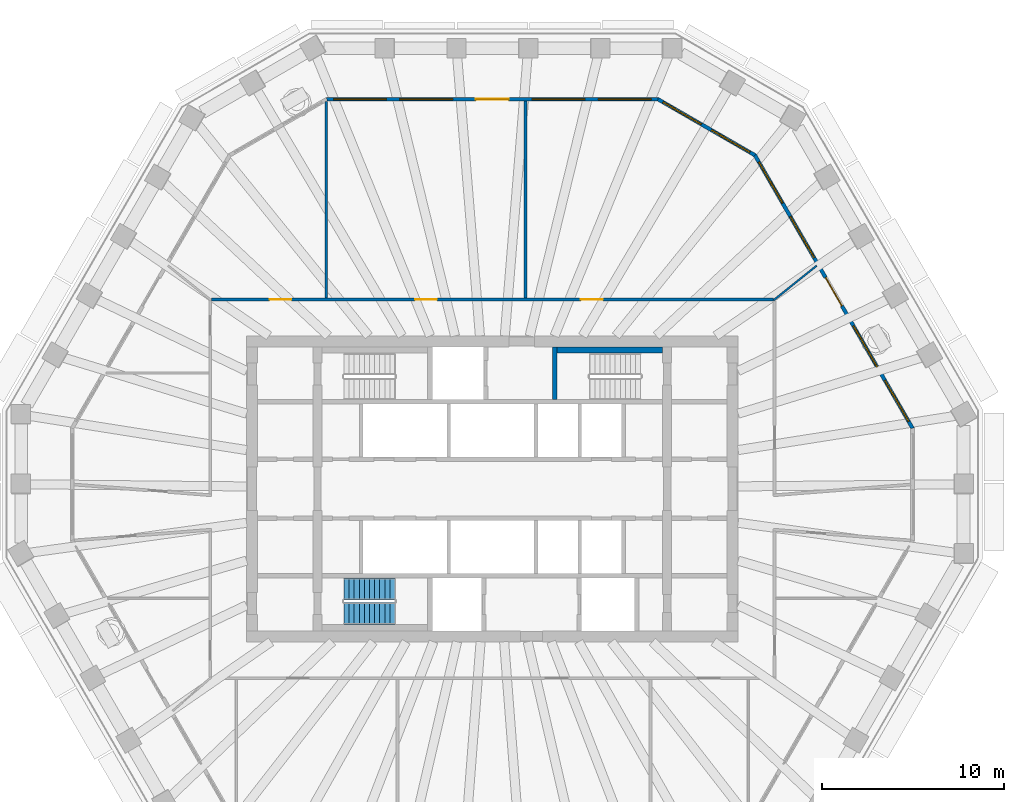
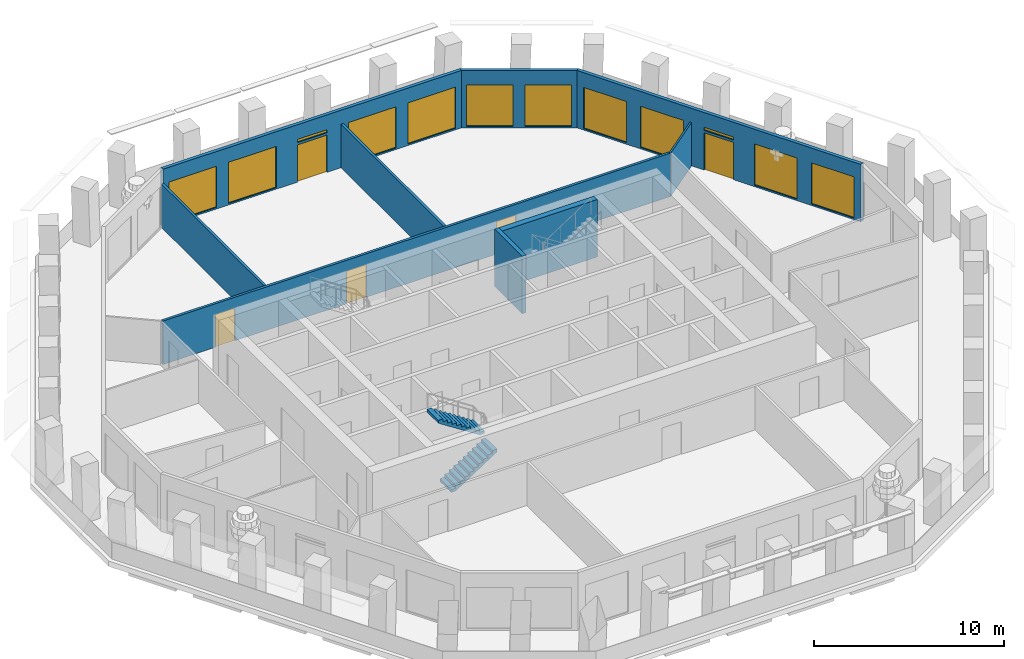
# One storey, part 7 of 12: 12 windows, 9 walls, 5 doors, 2 stair flights, 17 openings, 1 element without a shape of its own.
"""IFC4 building model written with IfcOpenShell, lengths in metres."""

import ifcopenshell
import ifcopenshell.guid

model = None  # the IFC model being written
_history = None  # IfcOwnerHistory: only IFC2X3 demands one
_inside = {}  # id of a spatial element -> (the spatial element, [elements in it])
_under = {}  # id of a project, library or spatial element -> (it, [spatial elements below it])
_declared = {}  # id of a project -> (the project, [libraries it declares])
_typed = {}  # id of a type object -> (the type object, [elements of that type])
_made_of = {}  # id of a material, layer set ... -> (it, [elements and type objects made of it])


def new_model(schema):
    """Start an empty IFC model of exactly this schema.

    Asked for "IFC4X3", IfcOpenShell would pick the latest addendum, in which some entities
    have other attributes; the version numbers below select the first issue.
    IFC2X3 requires an IfcOwnerHistory on every rooted entity: one is made here for all.
    """
    global model, _history
    if schema == "IFC4X3":
        model = ifcopenshell.file(schema_version=(4, 3, 0, 0))
    else:
        model = ifcopenshell.file(schema=schema)
    _inside.clear()
    _under.clear()
    _declared.clear()
    _typed.clear()
    _made_of.clear()
    _history = None
    if model.schema == "IFC2X3":
        org = make("IfcOrganization", Name="unknown")
        user = make(
            "IfcPersonAndOrganization",
            ThePerson=make("IfcPerson", FamilyName="unknown"),
            TheOrganization=org,
        )
        app = make(
            "IfcApplication",
            ApplicationDeveloper=org,
            Version="unknown",
            ApplicationFullName="unknown",
            ApplicationIdentifier="unknown",
        )
        _history = make(
            "IfcOwnerHistory",
            OwningUser=user,
            OwningApplication=app,
            ChangeAction="ADDED",
            CreationDate=0,
        )
    return model


def make(cls, **values):
    """One entity of the class cls with the attributes given. An attribute that is None is left unset."""
    return model.create_entity(
        cls, **{name: value for name, value in values.items() if value is not None}
    )


def rooted(cls, **values):
    """An entity with a GlobalId (a new one), such as an element, a storey or a relation."""
    return make(cls, GlobalId=ifcopenshell.guid.new(), OwnerHistory=_history, **values)


def si_unit(unit_type, name, prefix=None):
    """IfcSIUnit, for example si_unit("LENGTHUNIT", "METRE", prefix="MILLI")."""
    return make("IfcSIUnit", UnitType=unit_type, Prefix=prefix, Name=name)


def assignment(units):
    """IfcUnitAssignment: the units of a project."""
    return None if units is None else make("IfcUnitAssignment", Units=units)


def point(xyz):
    """IfcCartesianPoint."""
    return None if xyz is None else make("IfcCartesianPoint", Coordinates=xyz)


def direction(xyz):
    """IfcDirection."""
    return None if xyz is None else make("IfcDirection", DirectionRatios=xyz)


def frame(location, z_axis=None, x_axis=None):
    """IfcAxis2Placement3D, a coordinate frame: its origin and axes. An axis left out is left unset."""
    return make(
        "IfcAxis2Placement3D",
        Location=point(location),
        Axis=direction(z_axis),
        RefDirection=direction(x_axis),
    )


def frame_2d(location, x_axis=None):
    """IfcAxis2Placement2D, a coordinate frame in the plane: its origin and x axis."""
    return make(
        "IfcAxis2Placement2D", Location=point(location), RefDirection=direction(x_axis)
    )


def origin():
    """The frame at (0, 0, 0) with its axes left unset."""
    return frame((0.0, 0.0, 0.0))


def place(relative_to, where):
    """IfcLocalPlacement: puts the frame where relative to a parent placement (None: the world)."""
    return make(
        "IfcLocalPlacement", PlacementRelTo=relative_to, RelativePlacement=where
    )


def context(
    kind, dimensions, precision=None, world=None, true_north=None, identifier=None
):
    """IfcGeometricRepresentationContext, for example the 3D "Model" context."""
    return make(
        "IfcGeometricRepresentationContext",
        ContextIdentifier=identifier,
        ContextType=kind,
        CoordinateSpaceDimension=dimensions,
        Precision=precision,
        WorldCoordinateSystem=world,
        TrueNorth=true_north,
    )


def subcontext(parent, identifier, kind, view, scale=None):
    """IfcGeometricRepresentationSubContext, for example "Body" below "Model"."""
    return make(
        "IfcGeometricRepresentationSubContext",
        ContextIdentifier=identifier,
        ContextType=kind,
        ParentContext=parent,
        TargetScale=scale,
        TargetView=view,
    )


def project(units=None, contexts=None):
    """IfcProject with its units and contexts."""
    return rooted(
        "IfcProject",
        Name="project",
        RepresentationContexts=contexts,
        UnitsInContext=assignment(units),
    )


def spatial(cls, under=None, at=None, **own):
    """A site, building, storey or space (cls), placed at a placement, below another one or the project."""
    s = rooted(cls, ObjectPlacement=at, **own)
    if under is not None:
        _under.setdefault(under.id(), (under, []))[1].append(s)
    return s


def polyline(points):
    """IfcPolyline through the points."""
    return make("IfcPolyline", Points=[point(p) for p in points])


def profile(cls, at=None, kind="AREA", **sizes):
    """A parametric profile (cls). Its sizes go by their IFC names, for example OverallWidth=200.0."""
    return make(cls, ProfileType=kind, Position=at, **sizes)


def rectangle(**sizes):
    """IfcRectangleProfileDef."""
    return profile("IfcRectangleProfileDef", **sizes)


def outline(outer, holes=None, kind="AREA"):
    """IfcArbitraryClosedProfileDef: a profile drawn as a closed curve; with holes, ...WithVoids."""
    if holes is None:
        return make("IfcArbitraryClosedProfileDef", ProfileType=kind, OuterCurve=outer)
    return make(
        "IfcArbitraryProfileDefWithVoids",
        ProfileType=kind,
        OuterCurve=outer,
        InnerCurves=holes,
    )


def extrude(swept, where, along, depth):
    """IfcExtrudedAreaSolid: the profile swept, set in the frame where, extruded along a direction by depth."""
    return make(
        "IfcExtrudedAreaSolid",
        SweptArea=swept,
        Position=where,
        ExtrudedDirection=direction(along),
        Depth=depth,
    )


def shape(context_of_items, identifier, shape_type, items):
    """IfcShapeRepresentation: the items that make up one representation, for example the "Body"."""
    return make(
        "IfcShapeRepresentation",
        ContextOfItems=context_of_items,
        RepresentationIdentifier=identifier,
        RepresentationType=shape_type,
        Items=items,
    )


def material(Name=None, Category=None):
    """IfcMaterial."""
    return make("IfcMaterial", Name=Name, Category=Category)


def layer(
    of_material, thickness, ventilated=None, Name=None, Category=None, Priority=None
):
    """IfcMaterialLayer: one layer of a wall or slab, of a material (None: an air gap)."""
    return make(
        "IfcMaterialLayer",
        Material=of_material,
        LayerThickness=thickness,
        IsVentilated=ventilated,
        Name=Name,
        Category=Category,
        Priority=Priority,
    )


def layer_set(layers, Name=None):
    """IfcMaterialLayerSet."""
    return make("IfcMaterialLayerSet", MaterialLayers=layers, LayerSetName=Name)


def made_of(thing, what):
    """Note that an element or type object is made of a material, layer set ...; save() writes the relation."""
    if what is not None:
        _made_of.setdefault(what.id(), (what, []))[1].append(thing)
    return thing


def type_object(cls, material=None, **own):
    """A type object (cls), such as IfcWallType, which elements share."""
    return made_of(rooted(cls, **own), material)


def element(
    cls,
    number,
    at=None,
    inside=None,
    cuts=None,
    type_object=None,
    material=None,
    context=None,
    identifier="Body",
    shape_type=None,
    held_by="IfcProductDefinitionShape",
    body=None,
    shapes=None,
    **own,
):
    """One element of the class cls, such as IfcWall. Its Tag is "e" and its number.

    at: its placement. inside: the storey or other place that contains it. cuts: it is an
    opening in that element (IfcRelVoidsElement). A single representation is given by context,
    identifier, shape_type and body (its items); several are given by shapes. held_by: the class
    of the entity that holds the representations. save() writes the other relations.
    """
    e = rooted(cls, Tag="e%d" % number, ObjectPlacement=at, **own)
    if body is not None:
        shapes = [shape(context, identifier, shape_type, body)]
    if shapes is not None:
        e.Representation = make(held_by, Representations=shapes)
    if inside is not None:
        _inside.setdefault(inside.id(), (inside, []))[1].append(e)
    if cuts is not None:
        rooted(
            "IfcRelVoidsElement", RelatingBuildingElement=cuts, RelatedOpeningElement=e
        )
    if type_object is not None:
        _typed.setdefault(type_object.id(), (type_object, []))[1].append(e)
    return made_of(e, material)


def fill(opening, filler):
    """IfcRelFillsElement: the door or window that sits in an opening."""
    return rooted(
        "IfcRelFillsElement",
        RelatingOpeningElement=opening,
        RelatedBuildingElement=filler,
    )


def aggregate(whole, parts):
    """IfcRelAggregates: a whole, such as a stair, and the parts it consists of."""
    return rooted("IfcRelAggregates", RelatingObject=whole, RelatedObjects=parts)


def save(model, path):
    """Write the relations noted so far, then the file.

    IfcRelAggregates (storeys below a building ...), IfcRelContainedInSpatialStructure (elements
    in a storey), IfcRelDefinesByType, IfcRelAssociatesMaterial and IfcRelDeclares: one each for
    every whole, place, type object, material and project.
    """
    for whole, parts in _under.values():
        aggregate(whole, parts)
    for where, things in _inside.values():
        rooted(
            "IfcRelContainedInSpatialStructure",
            RelatedElements=things,
            RelatingStructure=where,
        )
    for kind, things in _typed.values():
        rooted("IfcRelDefinesByType", RelatedObjects=things, RelatingType=kind)
    for what, things in _made_of.values():
        rooted("IfcRelAssociatesMaterial", RelatedObjects=things, RelatingMaterial=what)
    for by, libraries in _declared.values():
        rooted("IfcRelDeclares", RelatingContext=by, RelatedDefinitions=libraries)
    model.write(path)


model = new_model("IFC4")

# Units and contexts
model_context = context("Model", 3, precision=1e-05, world=origin(), true_north=direction((0.0, 1.0)))
body_context = subcontext(model_context, "Body", "Model", "MODEL_VIEW")
ifc_project = project(units=[si_unit("LENGTHUNIT", "METRE"), si_unit("AREAUNIT", "SQUARE_METRE"), si_unit("VOLUMEUNIT", "CUBIC_METRE"), si_unit("PLANEANGLEUNIT", "RADIAN"), si_unit("MASSUNIT", "GRAM", prefix="KILO")], contexts=[model_context])

# Site, building, storey
site_placement = place(None, origin())
site = spatial("IfcSite", under=ifc_project, at=site_placement, CompositionType="ELEMENT")
building_placement = place(site_placement, origin())
building = spatial("IfcBuilding", under=site, at=building_placement, Name="Frailejon Research Tower", CompositionType="ELEMENT")
storey_placement = place(building_placement, frame((0.0, 0.0, 219.39990234375)))
storey = spatial("IfcBuildingStorey", under=building, at=storey_placement, Name="L47", CompositionType="ELEMENT", Elevation=219.39990234375)

# Wall, openings, doors
ifc_material_1 = material(Name="Gypsum board and masonry partition", Category="masonry")
ifc_layer_1 = layer(ifc_material_1, 0.14990234375)
ifc_layer_set_1 = layer_set([ifc_layer_1], Name="Corridor wall EI 60, gypsum on steel studs 150")
wall_type_1 = type_object("IfcWallType", Name="Corridor wall EI 60, gypsum on steel studs 150", PredefinedType="PARTITIONING", material=ifc_layer_set_1)
wall_1_placement = place(storey_placement, frame((-15.425048828125, 10.39990234375, 0.0), z_axis=(0.0, 0.0, 1.0), x_axis=(1.0, 0.0, 0.0)))
wall_1 = element("IfcWall", 1, at=wall_1_placement, inside=storey, type_object=wall_type_1, Name="T:IW:L47:003", PredefinedType="PARTITIONING", context=body_context, shape_type="SweptSolid", body=[
    extrude(rectangle(XDim=30.875, YDim=0.14990234375, at=frame_2d((15.4375, 0.0))), origin(), (0.0, 0.0, 1.0), 2.800048828125),
])
opening_1_placement = place(wall_1_placement, frame((20.291748046875, 0.0, 0.0)))
opening_1 = element("IfcOpeningElement", 2, at=opening_1_placement, cuts=wall_1, Name="Opening D1963", PredefinedType="OPENING", context=body_context, shape_type="SweptSolid", body=[
    extrude(rectangle(XDim=1.199951171875, YDim=2.10009765625, at=frame_2d((0.60009765625, 1.050048828125))), frame((0.0, 0.0849609375, 0.0), z_axis=(0.0, -1.0, 0.0), x_axis=(1.0, 0.0, 0.0)), (0.0, 0.0, 1.0), 0.169921875),
])
opening_2_placement = place(wall_1_placement, frame((11.177001953125, 0.0, 0.0)))
opening_2 = element("IfcOpeningElement", 3, at=opening_2_placement, cuts=wall_1, Name="Opening D1964", PredefinedType="OPENING", context=body_context, shape_type="SweptSolid", body=[
    extrude(rectangle(XDim=1.199951171875, YDim=2.10009765625, at=frame_2d((0.60009765625, 1.050048828125))), frame((0.0, 0.0849609375, 0.0), z_axis=(0.0, -1.0, 0.0), x_axis=(1.0, 0.0, 0.0)), (0.0, 0.0, 1.0), 0.169921875),
])
opening_3_placement = place(wall_1_placement, frame((3.18701171875, 0.0, 0.0)))
opening_3 = element("IfcOpeningElement", 4, at=opening_3_placement, cuts=wall_1, Name="Opening D1965", PredefinedType="OPENING", context=body_context, shape_type="SweptSolid", body=[
    extrude(rectangle(XDim=1.199951171875, YDim=2.10009765625, at=frame_2d((0.60009765625, 1.050048828125))), frame((0.0, 0.0849609375, 0.0), z_axis=(0.0, -1.0, 0.0), x_axis=(1.0, 0.0, 0.0)), (0.0, 0.0, 1.0), 0.169921875),
])
ifc_material_2 = material(Name="Timber door leaf", Category="wood")
door_type_1 = type_object("IfcDoorType", Name="Door laboratory, timber, vision panel 1200", OperationType="NOTDEFINED", PredefinedType="DOOR", material=ifc_material_2)
door_1_placement = place(opening_2_placement, origin())
door_1 = element("IfcDoor", 5, at=door_1_placement, inside=storey, type_object=door_type_1, Name="D1964", OperationType="DOUBLE_DOOR_SINGLE_SWING", OverallHeight=2.10009765625, OverallWidth=1.199951171875, PredefinedType="DOOR", context=body_context, shape_type="SweptSolid", body=[
    extrude(rectangle(XDim=1.199951171875, YDim=2.10009765625, at=frame_2d((0.60009765625, 1.050048828125))), frame((0.0, 0.02490234375, 0.0), z_axis=(0.0, -1.0, 0.0), x_axis=(1.0, 0.0, 0.0)), (0.0, 0.0, 1.0), 0.050048828125),
])
fill(opening_2, door_1)
ifc_material_3 = material(Name="Timber door leaf", Category="wood")
door_type_2 = type_object("IfcDoorType", Name="Door single leaf, timber, steel frame 1200", OperationType="NOTDEFINED", PredefinedType="DOOR", material=ifc_material_3)
door_2_placement = place(opening_1_placement, origin())
door_2 = element("IfcDoor", 6, at=door_2_placement, inside=storey, type_object=door_type_2, Name="D1963", OperationType="DOUBLE_DOOR_SINGLE_SWING", OverallHeight=2.10009765625, OverallWidth=1.199951171875, PredefinedType="DOOR", context=body_context, shape_type="SweptSolid", body=[
    extrude(rectangle(XDim=1.199951171875, YDim=2.10009765625, at=frame_2d((0.60009765625, 1.050048828125))), frame((0.0, 0.02490234375, 0.0), z_axis=(0.0, -1.0, 0.0), x_axis=(1.0, 0.0, 0.0)), (0.0, 0.0, 1.0), 0.050048828125),
])
fill(opening_1, door_2)
door_3_placement = place(opening_3_placement, origin())
door_3 = element("IfcDoor", 7, at=door_3_placement, inside=storey, type_object=door_type_2, Name="D1965", OperationType="DOUBLE_DOOR_SINGLE_SWING", OverallHeight=2.10009765625, OverallWidth=1.199951171875, PredefinedType="DOOR", context=body_context, shape_type="SweptSolid", body=[
    extrude(rectangle(XDim=1.199951171875, YDim=2.10009765625, at=frame_2d((0.60009765625, 1.050048828125))), frame((0.0, 0.02490234375, 0.0), z_axis=(0.0, -1.0, 0.0), x_axis=(1.0, 0.0, 0.0)), (0.0, 0.0, 1.0), 0.050048828125),
])
fill(opening_3, door_3)

# Walls
ifc_material_4 = material(Name="Gypsum board and masonry partition", Category="masonry")
ifc_layer_2 = layer(ifc_material_4, 0.14990234375)
ifc_layer_set_2 = layer_set([ifc_layer_2], Name="Laboratory partition, blockwork 150")
wall_type_2 = type_object("IfcWallType", Name="Laboratory partition, blockwork 150", PredefinedType="PARTITIONING", material=ifc_layer_set_2)
wall_2_placement = place(storey_placement, frame((1.823974609375, 10.47509765625, 0.0), z_axis=(0.0, 0.0, 1.0), x_axis=(0.0, 1.0, 0.0)))
element("IfcWall", 8, at=wall_2_placement, inside=storey, type_object=wall_type_2, Name="T:IW:L47:011", PredefinedType="PARTITIONING", context=body_context, shape_type="SweptSolid", body=[
    extrude(rectangle(XDim=10.824951171875, YDim=0.14990234375, at=frame_2d((5.41259765625, 0.0))), origin(), (0.0, 0.0, 1.0), 2.800048828125),
])
wall_3_placement = place(storey_placement, frame((-9.1201171875, 10.47509765625, 0.0), z_axis=(0.0, 0.0, 1.0), x_axis=(0.0, 1.0, 0.0)))
element("IfcWall", 9, at=wall_3_placement, inside=storey, type_object=wall_type_2, Name="T:IW:L47:012", PredefinedType="PARTITIONING", context=body_context, shape_type="SweptSolid", body=[
    extrude(rectangle(XDim=10.7939453125, YDim=0.14990234375, at=frame_2d((5.39697265625, 0.0))), origin(), (0.0, 0.0, 1.0), 2.800048828125),
])
ifc_material_5 = material(Name="Gypsum board and masonry partition", Category="masonry")
ifc_layer_3 = layer(ifc_material_5, 0.10009765625)
ifc_layer_set_3 = layer_set([ifc_layer_3], Name="Partition, gypsum on steel studs 100")
wall_type_3 = type_object("IfcWallType", Name="Partition, gypsum on steel studs 100", PredefinedType="PARTITIONING", material=ifc_layer_set_3)
wall_4_placement = place(storey_placement, frame((15.44140625, 10.35302734375, 0.0), z_axis=(0.0, 0.0, 1.0), x_axis=(0.78011546614, 0.625635564438, 0.0)))
element("IfcWall", 10, at=wall_4_placement, inside=storey, type_object=wall_type_3, Name="T:IW:L47:015", PredefinedType="PARTITIONING", context=body_context, shape_type="SweptSolid", body=[
    extrude(rectangle(XDim=3.03759765625, YDim=0.10009765625, at=frame_2d((1.518798828125, 0.0))), origin(), (0.0, 0.0, 1.0), 2.800048828125),
])
ifc_material_6 = material(Name="Concrete C60/75", Category="concrete")
ifc_layer_4 = layer(ifc_material_6, 0.25)
ifc_layer_set_4 = layer_set([ifc_layer_4], Name="Shaft wall 250 C60/75")
wall_type_4 = type_object("IfcWallType", Name="Shaft wall 250 C60/75", PredefinedType="SOLIDWALL", material=ifc_layer_set_4)
wall_5_placement = place(storey_placement, frame((3.425048828125, 4.89990234375, 0.0), z_axis=(0.0, 0.0, 1.0), x_axis=(0.0, 1.0, 0.0)))
element("IfcWall", 11, at=wall_5_placement, inside=storey, type_object=wall_type_4, Name="Shaft wall", PredefinedType="SOLIDWALL", context=body_context, shape_type="SweptSolid", body=[
    extrude(rectangle(XDim=2.900146484375, YDim=0.25, at=frame_2d((1.4501953125, 0.0))), origin(), (0.0, 0.0, 1.0), 3.7001953125),
])
ifc_material_7 = material(Name="Concrete C60/75", Category="concrete")
ifc_layer_5 = layer(ifc_material_7, 0.35009765625)
ifc_layer_set_5 = layer_set([ifc_layer_5], Name="Shaft wall 350 C60/75")
wall_type_5 = type_object("IfcWallType", Name="Shaft wall 350 C60/75", PredefinedType="SOLIDWALL", material=ifc_layer_set_5)
wall_6_placement = place(storey_placement, frame((3.550048828125, 7.625, 0.0), z_axis=(0.0, 0.0, 1.0), x_axis=(1.0, 0.0, 0.0)))
element("IfcWall", 12, at=wall_6_placement, inside=storey, type_object=wall_type_5, Name="Shaft wall", PredefinedType="SOLIDWALL", context=body_context, shape_type="SweptSolid", body=[
    extrude(rectangle(XDim=5.800048828125, YDim=0.35009765625, at=frame_2d((2.89990234375, 0.0))), origin(), (0.0, 0.0, 1.0), 3.7001953125),
])

# Wall, openings, door, windows
ifc_material_8 = material(Name="Concrete C40/50 precast window wall panel", Category="concrete")
ifc_layer_6 = layer(ifc_material_8, 0.199951171875)
ifc_layer_set_6 = layer_set([ifc_layer_6], Name="Window wall 200")
wall_type_6 = type_object("IfcWallType", Name="Window wall 200", PredefinedType="SOLIDWALL", material=ifc_layer_set_6)
wall_7_placement = place(storey_placement, frame((23.07958984375, 3.327880859375, 0.0), z_axis=(0.0, 0.0, 1.0), x_axis=(-0.499999912926, 0.866025454057, 0.0)))
wall_7 = element("IfcWall", 13, at=wall_7_placement, inside=storey, type_object=wall_type_6, Name="Exterior wall L47", PredefinedType="SOLIDWALL", context=body_context, shape_type="SweptSolid", body=[
    extrude(outline(polyline([(-0.02685546875, -0.10009765625), (0.994873046875, -0.10009765625), (2.0166015625, -0.10009765625), (3.038330078125, -0.10009765625), (4.06005859375, -0.10009765625), (5.081787109375, -0.10009765625), (6.103515625, -0.10009765625), (7.125244140625, -0.10009765625), (8.14697265625, -0.10009765625), (9.16845703125, -0.10009765625), (10.190185546875, -0.10009765625), (11.2119140625, -0.10009765625), (12.233642578125, -0.10009765625), (13.25537109375, -0.10009765625), (14.277099609375, -0.10009765625), (15.298828125, -0.10009765625), (16.320556640625, -0.10009765625), (17.34228515625, -0.10009765625), (17.28857421875, 0.10009765625), (16.273193359375, 0.10009765625), (15.2578125, 0.10009765625), (14.242431640625, 0.10009765625), (13.22705078125, 0.10009765625), (12.211669921875, 0.10009765625), (11.1962890625, 0.10009765625), (10.180908203125, 0.10009765625), (9.16552734375, 0.10009765625), (8.14990234375, 0.10009765625), (7.134521484375, 0.10009765625), (6.119140625, 0.10009765625), (5.103759765625, 0.10009765625), (4.08837890625, 0.10009765625), (3.072998046875, 0.10009765625), (2.0576171875, 0.10009765625), (1.042236328125, 0.10009765625), (0.02685546875, 0.10009765625), (-0.02685546875, -0.10009765625)])), origin(), (0.0, 0.0, 1.0), 3.7001953125),
])
opening_4_placement = place(wall_7_placement, frame((0.431640625, 0.0, 0.10009765625)))
opening_4 = element("IfcOpeningElement", 14, at=opening_4_placement, cuts=wall_7, Name="Opening W18", PredefinedType="OPENING", context=body_context, shape_type="SweptSolid", body=[
    extrude(rectangle(XDim=2.60009765625, YDim=2.64990234375, at=frame_2d((1.300048828125, 1.324951171875))), frame((0.0, 0.10986328125, 0.0), z_axis=(0.0, -1.0, 0.0), x_axis=(1.0, 0.0, 0.0)), (0.0, 0.0, 1.0), 0.219970703125),
])
opening_5_placement = place(wall_7_placement, frame((3.894775390625, 0.0, 0.10009765625)))
opening_5 = element("IfcOpeningElement", 15, at=opening_5_placement, cuts=wall_7, Name="Opening W18", PredefinedType="OPENING", context=body_context, shape_type="SweptSolid", body=[
    extrude(rectangle(XDim=2.60009765625, YDim=2.64990234375, at=frame_2d((1.300048828125, 1.324951171875))), frame((0.0, 0.10986328125, 0.0), z_axis=(0.0, -1.0, 0.0), x_axis=(1.0, 0.0, 0.0)), (0.0, 0.0, 1.0), 0.219970703125),
])
opening_6_placement = place(wall_7_placement, frame((7.7578125, 0.0, 0.0)))
opening_6 = element("IfcOpeningElement", 16, at=opening_6_placement, cuts=wall_7, Name="Opening LG47-1", PredefinedType="OPENING", context=body_context, shape_type="SweptSolid", body=[
    extrude(rectangle(XDim=1.800048828125, YDim=2.39990234375, at=frame_2d((0.89990234375, 1.199951171875))), frame((0.0, 0.10986328125, 0.0), z_axis=(0.0, -1.0, 0.0), x_axis=(1.0, 0.0, 0.0)), (0.0, 0.0, 1.0), 0.219970703125),
])
opening_7_placement = place(wall_7_placement, frame((7.7578125, 0.0, 2.550048828125)))
opening_7 = element("IfcOpeningElement", 17, at=opening_7_placement, cuts=wall_7, Name="Opening W19", PredefinedType="OPENING", context=body_context, shape_type="SweptSolid", body=[
    extrude(rectangle(XDim=1.800048828125, YDim=0.199951171875, at=frame_2d((0.89990234375, 0.10009765625))), frame((0.0, 0.10986328125, 0.0), z_axis=(0.0, -1.0, 0.0), x_axis=(1.0, 0.0, 0.0)), (0.0, 0.0, 1.0), 0.219970703125),
])
opening_8_placement = place(wall_7_placement, frame((10.82080078125, 0.0, 0.10009765625)))
opening_8 = element("IfcOpeningElement", 18, at=opening_8_placement, cuts=wall_7, Name="Opening W18", PredefinedType="OPENING", context=body_context, shape_type="SweptSolid", body=[
    extrude(rectangle(XDim=2.60009765625, YDim=2.64990234375, at=frame_2d((1.300048828125, 1.324951171875))), frame((0.0, 0.10986328125, 0.0), z_axis=(0.0, -1.0, 0.0), x_axis=(1.0, 0.0, 0.0)), (0.0, 0.0, 1.0), 0.219970703125),
])
opening_9_placement = place(wall_7_placement, frame((14.283935546875, 0.0, 0.10009765625)))
opening_9 = element("IfcOpeningElement", 19, at=opening_9_placement, cuts=wall_7, Name="Opening W18", PredefinedType="OPENING", context=body_context, shape_type="SweptSolid", body=[
    extrude(rectangle(XDim=2.60009765625, YDim=2.64990234375, at=frame_2d((1.300048828125, 1.324951171875))), frame((0.0, 0.10986328125, 0.0), z_axis=(0.0, -1.0, 0.0), x_axis=(1.0, 0.0, 0.0)), (0.0, 0.0, 1.0), 0.219970703125),
])
ifc_material_9 = material(Name="Aluminium framed glazed door leaf", Category="aluminium")
door_type_3 = type_object("IfcDoorType", Name="Loggia door 1800x2400", OperationType="DOUBLE_DOOR_SINGLE_SWING", PredefinedType="DOOR", material=ifc_material_9)
door_4_placement = place(opening_6_placement, origin())
door_4 = element("IfcDoor", 20, at=door_4_placement, inside=storey, type_object=door_type_3, Name="Door LG47-1", OperationType="DOUBLE_DOOR_SINGLE_SWING", OverallHeight=2.39990234375, OverallWidth=1.800048828125, PredefinedType="DOOR", context=body_context, shape_type="SweptSolid", body=[
    extrude(rectangle(XDim=1.800048828125, YDim=2.39990234375, at=frame_2d((0.89990234375, 1.199951171875))), frame((0.0, 0.02490234375, 0.0), z_axis=(0.0, -1.0, 0.0), x_axis=(1.0, 0.0, 0.0)), (0.0, 0.0, 1.0), 0.050048828125),
])
fill(opening_6, door_4)
ifc_material_10 = material(Name="Aluminium framed double glazing", Category="aluminium")
window_type_1 = type_object("IfcWindowType", Name="Window 1800x200", PartitioningType="SINGLE_PANEL", PredefinedType="WINDOW", material=ifc_material_10)
window_1_placement = place(opening_7_placement, origin())
window_1 = element("IfcWindow", 21, at=window_1_placement, inside=storey, type_object=window_type_1, Name="Window L47", OverallHeight=0.199951171875, OverallWidth=1.800048828125, PartitioningType="SINGLE_PANEL", PredefinedType="WINDOW", context=body_context, shape_type="SweptSolid", body=[
    extrude(rectangle(XDim=1.800048828125, YDim=0.199951171875, at=frame_2d((0.89990234375, 0.10009765625))), frame((0.0, 0.030029296875, 0.0), z_axis=(0.0, -1.0, 0.0), x_axis=(1.0, 0.0, 0.0)), (0.0, 0.0, 1.0), 0.06005859375),
])
fill(opening_7, window_1)
ifc_material_11 = material(Name="Aluminium framed double glazing", Category="aluminium")
window_type_2 = type_object("IfcWindowType", Name="Window 2600x2650", PartitioningType="SINGLE_PANEL", PredefinedType="WINDOW", material=ifc_material_11)
window_2_placement = place(opening_4_placement, origin())
window_2 = element("IfcWindow", 22, at=window_2_placement, inside=storey, type_object=window_type_2, Name="Window L47", OverallHeight=2.64990234375, OverallWidth=2.60009765625, PartitioningType="SINGLE_PANEL", PredefinedType="WINDOW", context=body_context, shape_type="SweptSolid", body=[
    extrude(rectangle(XDim=2.60009765625, YDim=2.64990234375, at=frame_2d((1.300048828125, 1.324951171875))), frame((0.0, 0.030029296875, 0.0), z_axis=(0.0, -1.0, 0.0), x_axis=(1.0, 0.0, 0.0)), (0.0, 0.0, 1.0), 0.06005859375),
])
fill(opening_4, window_2)
window_3_placement = place(opening_5_placement, origin())
window_3 = element("IfcWindow", 23, at=window_3_placement, inside=storey, type_object=window_type_2, Name="Window L47", OverallHeight=2.64990234375, OverallWidth=2.60009765625, PartitioningType="SINGLE_PANEL", PredefinedType="WINDOW", context=body_context, shape_type="SweptSolid", body=[
    extrude(rectangle(XDim=2.60009765625, YDim=2.64990234375, at=frame_2d((1.300048828125, 1.324951171875))), frame((0.0, 0.030029296875, 0.0), z_axis=(0.0, -1.0, 0.0), x_axis=(1.0, 0.0, 0.0)), (0.0, 0.0, 1.0), 0.06005859375),
])
fill(opening_5, window_3)
window_4_placement = place(opening_8_placement, origin())
window_4 = element("IfcWindow", 24, at=window_4_placement, inside=storey, type_object=window_type_2, Name="Window L47", OverallHeight=2.64990234375, OverallWidth=2.60009765625, PartitioningType="SINGLE_PANEL", PredefinedType="WINDOW", context=body_context, shape_type="SweptSolid", body=[
    extrude(rectangle(XDim=2.60009765625, YDim=2.64990234375, at=frame_2d((1.300048828125, 1.324951171875))), frame((0.0, 0.030029296875, 0.0), z_axis=(0.0, -1.0, 0.0), x_axis=(1.0, 0.0, 0.0)), (0.0, 0.0, 1.0), 0.06005859375),
])
fill(opening_8, window_4)
window_5_placement = place(opening_9_placement, origin())
window_5 = element("IfcWindow", 25, at=window_5_placement, inside=storey, type_object=window_type_2, Name="Window L47", OverallHeight=2.64990234375, OverallWidth=2.60009765625, PartitioningType="SINGLE_PANEL", PredefinedType="WINDOW", context=body_context, shape_type="SweptSolid", body=[
    extrude(rectangle(XDim=2.60009765625, YDim=2.64990234375, at=frame_2d((1.300048828125, 1.324951171875))), frame((0.0, 0.030029296875, 0.0), z_axis=(0.0, -1.0, 0.0), x_axis=(1.0, 0.0, 0.0)), (0.0, 0.0, 1.0), 0.06005859375),
])
fill(opening_9, window_5)

# Wall, openings, windows
wall_8_placement = place(storey_placement, frame((14.421875, 18.323486328125, 0.0), z_axis=(0.0, 0.0, 1.0), x_axis=(-0.866029647142, 0.499992650217, 0.0)))
wall_8 = element("IfcWall", 26, at=wall_8_placement, inside=storey, type_object=wall_type_6, Name="Exterior wall L47", PredefinedType="SOLIDWALL", context=body_context, shape_type="SweptSolid", body=[
    extrude(outline(polyline([(-0.02685546875, -0.10009765625), (1.007568359375, -0.10009765625), (2.0419921875, -0.10009765625), (3.076416015625, -0.10009765625), (4.11083984375, -0.10009765625), (5.145263671875, -0.10009765625), (6.1796875, -0.10009765625), (6.1259765625, 0.10009765625), (5.109375, 0.10009765625), (4.093017578125, 0.10009765625), (3.076416015625, 0.10009765625), (2.059814453125, 0.10009765625), (1.04345703125, 0.10009765625), (0.02685546875, 0.10009765625), (-0.02685546875, -0.10009765625)])), origin(), (0.0, 0.0, 1.0), 3.7001953125),
])
opening_10_placement = place(wall_8_placement, frame((0.313232421875, 0.0, 0.10009765625)))
opening_10 = element("IfcOpeningElement", 27, at=opening_10_placement, cuts=wall_8, Name="Opening W17", PredefinedType="OPENING", context=body_context, shape_type="SweptSolid", body=[
    extrude(rectangle(XDim=2.449951171875, YDim=2.64990234375, at=frame_2d((1.22509765625, 1.324951171875))), frame((0.0, 0.10986328125, 0.0), z_axis=(0.0, -1.0, 0.0), x_axis=(1.0, 0.0, 0.0)), (0.0, 0.0, 1.0), 0.219970703125),
])
opening_11_placement = place(wall_8_placement, frame((3.3896484375, 0.0, 0.10009765625)))
opening_11 = element("IfcOpeningElement", 28, at=opening_11_placement, cuts=wall_8, Name="Opening W17", PredefinedType="OPENING", context=body_context, shape_type="SweptSolid", body=[
    extrude(rectangle(XDim=2.449951171875, YDim=2.64990234375, at=frame_2d((1.22509765625, 1.324951171875))), frame((0.0, 0.10986328125, 0.0), z_axis=(0.0, -1.0, 0.0), x_axis=(1.0, 0.0, 0.0)), (0.0, 0.0, 1.0), 0.219970703125),
])
ifc_material_12 = material(Name="Aluminium framed double glazing", Category="aluminium")
window_type_3 = type_object("IfcWindowType", Name="Window 2450x2650", PartitioningType="SINGLE_PANEL", PredefinedType="WINDOW", material=ifc_material_12)
window_6_placement = place(opening_10_placement, origin())
window_6 = element("IfcWindow", 29, at=window_6_placement, inside=storey, type_object=window_type_3, Name="Window L47", OverallHeight=2.64990234375, OverallWidth=2.449951171875, PartitioningType="SINGLE_PANEL", PredefinedType="WINDOW", context=body_context, shape_type="SweptSolid", body=[
    extrude(rectangle(XDim=2.449951171875, YDim=2.64990234375, at=frame_2d((1.22509765625, 1.324951171875))), frame((0.0, 0.030029296875, 0.0), z_axis=(0.0, -1.0, 0.0), x_axis=(1.0, 0.0, 0.0)), (0.0, 0.0, 1.0), 0.06005859375),
])
fill(opening_10, window_6)
window_7_placement = place(opening_11_placement, origin())
window_7 = element("IfcWindow", 30, at=window_7_placement, inside=storey, type_object=window_type_3, Name="Window L47", OverallHeight=2.64990234375, OverallWidth=2.449951171875, PartitioningType="SINGLE_PANEL", PredefinedType="WINDOW", context=body_context, shape_type="SweptSolid", body=[
    extrude(rectangle(XDim=2.449951171875, YDim=2.64990234375, at=frame_2d((1.22509765625, 1.324951171875))), frame((0.0, 0.030029296875, 0.0), z_axis=(0.0, -1.0, 0.0), x_axis=(1.0, 0.0, 0.0)), (0.0, 0.0, 1.0), 0.06005859375),
])
fill(opening_11, window_7)

# Wall, openings, door, windows
wall_9_placement = place(storey_placement, frame((9.09326171875, 21.39990234375, 0.0), z_axis=(0.0, 0.0, 1.0), x_axis=(-1.0, 0.0, 0.0)))
wall_9 = element("IfcWall", 31, at=wall_9_placement, inside=storey, type_object=wall_type_6, Name="Exterior wall L47", PredefinedType="SOLIDWALL", context=body_context, shape_type="SweptSolid", body=[
    extrude(outline(polyline([(-0.02685546875, -0.10009765625), (0.986572265625, -0.10009765625), (1.999755859375, -0.10009765625), (3.01318359375, -0.10009765625), (4.026611328125, -0.10009765625), (5.039794921875, -0.10009765625), (6.05322265625, -0.10009765625), (7.066650390625, -0.10009765625), (8.079833984375, -0.10009765625), (9.09326171875, -0.10009765625), (10.106689453125, -0.10009765625), (11.119873046875, -0.10009765625), (12.13330078125, -0.10009765625), (13.146728515625, -0.10009765625), (14.159912109375, -0.10009765625), (15.17333984375, -0.10009765625), (16.186767578125, -0.10009765625), (17.199951171875, -0.10009765625), (18.21337890625, -0.10009765625), (18.15966796875, 0.10009765625), (17.15234375, 0.10009765625), (16.14501953125, 0.10009765625), (15.137451171875, 0.10009765625), (14.130126953125, 0.10009765625), (13.122802734375, 0.10009765625), (12.115478515625, 0.10009765625), (11.10791015625, 0.10009765625), (10.1005859375, 0.10009765625), (9.09326171875, 0.10009765625), (8.0859375, 0.10009765625), (7.07861328125, 0.10009765625), (6.071044921875, 0.10009765625), (5.063720703125, 0.10009765625), (4.056396484375, 0.10009765625), (3.049072265625, 0.10009765625), (2.04150390625, 0.10009765625), (1.0341796875, 0.10009765625), (0.02685546875, 0.10009765625), (-0.02685546875, -0.10009765625)])), origin(), (0.0, 0.0, 1.0), 3.7001953125),
])
opening_12_placement = place(wall_9_placement, frame((0.36865234375, 0.0, 0.10009765625)))
opening_12 = element("IfcOpeningElement", 32, at=opening_12_placement, cuts=wall_9, Name="Opening W20", PredefinedType="OPENING", context=body_context, shape_type="SweptSolid", body=[
    extrude(rectangle(XDim=2.89990234375, YDim=2.64990234375, at=frame_2d((1.449951171875, 1.324951171875))), frame((0.0, 0.10986328125, 0.0), z_axis=(0.0, -1.0, 0.0), x_axis=(1.0, 0.0, 0.0)), (0.0, 0.0, 1.0), 0.219970703125),
])
opening_13_placement = place(wall_9_placement, frame((4.005859375, 0.0, 0.10009765625)))
opening_13 = element("IfcOpeningElement", 33, at=opening_13_placement, cuts=wall_9, Name="Opening W20", PredefinedType="OPENING", context=body_context, shape_type="SweptSolid", body=[
    extrude(rectangle(XDim=2.89990234375, YDim=2.64990234375, at=frame_2d((1.449951171875, 1.324951171875))), frame((0.0, 0.10986328125, 0.0), z_axis=(0.0, -1.0, 0.0), x_axis=(1.0, 0.0, 0.0)), (0.0, 0.0, 1.0), 0.219970703125),
])
opening_14_placement = place(wall_9_placement, frame((8.193115234375, 0.0, 0.0)))
opening_14 = element("IfcOpeningElement", 34, at=opening_14_placement, cuts=wall_9, Name="Opening LG47-2", PredefinedType="OPENING", context=body_context, shape_type="SweptSolid", body=[
    extrude(rectangle(XDim=1.800048828125, YDim=2.39990234375, at=frame_2d((0.89990234375, 1.199951171875))), frame((0.0, 0.10986328125, 0.0), z_axis=(0.0, -1.0, 0.0), x_axis=(1.0, 0.0, 0.0)), (0.0, 0.0, 1.0), 0.219970703125),
])
opening_15_placement = place(wall_9_placement, frame((8.193115234375, 0.0, 2.550048828125)))
opening_15 = element("IfcOpeningElement", 35, at=opening_15_placement, cuts=wall_9, Name="Opening W19", PredefinedType="OPENING", context=body_context, shape_type="SweptSolid", body=[
    extrude(rectangle(XDim=1.800048828125, YDim=0.199951171875, at=frame_2d((0.89990234375, 0.10009765625))), frame((0.0, 0.10986328125, 0.0), z_axis=(0.0, -1.0, 0.0), x_axis=(1.0, 0.0, 0.0)), (0.0, 0.0, 1.0), 0.219970703125),
])
opening_16_placement = place(wall_9_placement, frame((11.280517578125, 0.0, 0.10009765625)))
opening_16 = element("IfcOpeningElement", 36, at=opening_16_placement, cuts=wall_9, Name="Opening W20", PredefinedType="OPENING", context=body_context, shape_type="SweptSolid", body=[
    extrude(rectangle(XDim=2.89990234375, YDim=2.64990234375, at=frame_2d((1.449951171875, 1.324951171875))), frame((0.0, 0.10986328125, 0.0), z_axis=(0.0, -1.0, 0.0), x_axis=(1.0, 0.0, 0.0)), (0.0, 0.0, 1.0), 0.219970703125),
])
opening_17_placement = place(wall_9_placement, frame((14.917724609375, 0.0, 0.10009765625)))
opening_17 = element("IfcOpeningElement", 37, at=opening_17_placement, cuts=wall_9, Name="Opening W20", PredefinedType="OPENING", context=body_context, shape_type="SweptSolid", body=[
    extrude(rectangle(XDim=2.89990234375, YDim=2.64990234375, at=frame_2d((1.449951171875, 1.324951171875))), frame((0.0, 0.10986328125, 0.0), z_axis=(0.0, -1.0, 0.0), x_axis=(1.0, 0.0, 0.0)), (0.0, 0.0, 1.0), 0.219970703125),
])
door_5_placement = place(opening_14_placement, origin())
door_5 = element("IfcDoor", 38, at=door_5_placement, inside=storey, type_object=door_type_3, Name="Door LG47-2", OperationType="DOUBLE_DOOR_SINGLE_SWING", OverallHeight=2.39990234375, OverallWidth=1.800048828125, PredefinedType="DOOR", context=body_context, shape_type="SweptSolid", body=[
    extrude(rectangle(XDim=1.800048828125, YDim=2.39990234375, at=frame_2d((0.89990234375, 1.199951171875))), frame((0.0, 0.02490234375, 0.0), z_axis=(0.0, -1.0, 0.0), x_axis=(1.0, 0.0, 0.0)), (0.0, 0.0, 1.0), 0.050048828125),
])
fill(opening_14, door_5)
window_8_placement = place(opening_15_placement, origin())
window_8 = element("IfcWindow", 39, at=window_8_placement, inside=storey, type_object=window_type_1, Name="Window L47", OverallHeight=0.199951171875, OverallWidth=1.800048828125, PartitioningType="SINGLE_PANEL", PredefinedType="WINDOW", context=body_context, shape_type="SweptSolid", body=[
    extrude(rectangle(XDim=1.800048828125, YDim=0.199951171875, at=frame_2d((0.89990234375, 0.10009765625))), frame((0.0, 0.030029296875, 0.0), z_axis=(0.0, -1.0, 0.0), x_axis=(1.0, 0.0, 0.0)), (0.0, 0.0, 1.0), 0.06005859375),
])
fill(opening_15, window_8)
ifc_material_13 = material(Name="Aluminium framed double glazing", Category="aluminium")
window_type_4 = type_object("IfcWindowType", Name="Window 2900x2650", PartitioningType="SINGLE_PANEL", PredefinedType="WINDOW", material=ifc_material_13)
window_9_placement = place(opening_12_placement, origin())
window_9 = element("IfcWindow", 40, at=window_9_placement, inside=storey, type_object=window_type_4, Name="Window L47", OverallHeight=2.64990234375, OverallWidth=2.89990234375, PartitioningType="SINGLE_PANEL", PredefinedType="WINDOW", context=body_context, shape_type="SweptSolid", body=[
    extrude(rectangle(XDim=2.89990234375, YDim=2.64990234375, at=frame_2d((1.449951171875, 1.324951171875))), frame((0.0, 0.030029296875, 0.0), z_axis=(0.0, -1.0, 0.0), x_axis=(1.0, 0.0, 0.0)), (0.0, 0.0, 1.0), 0.06005859375),
])
fill(opening_12, window_9)
window_10_placement = place(opening_13_placement, origin())
window_10 = element("IfcWindow", 41, at=window_10_placement, inside=storey, type_object=window_type_4, Name="Window L47", OverallHeight=2.64990234375, OverallWidth=2.89990234375, PartitioningType="SINGLE_PANEL", PredefinedType="WINDOW", context=body_context, shape_type="SweptSolid", body=[
    extrude(rectangle(XDim=2.89990234375, YDim=2.64990234375, at=frame_2d((1.449951171875, 1.324951171875))), frame((0.0, 0.030029296875, 0.0), z_axis=(0.0, -1.0, 0.0), x_axis=(1.0, 0.0, 0.0)), (0.0, 0.0, 1.0), 0.06005859375),
])
fill(opening_13, window_10)
window_11_placement = place(opening_16_placement, origin())
window_11 = element("IfcWindow", 42, at=window_11_placement, inside=storey, type_object=window_type_4, Name="Window L47", OverallHeight=2.64990234375, OverallWidth=2.89990234375, PartitioningType="SINGLE_PANEL", PredefinedType="WINDOW", context=body_context, shape_type="SweptSolid", body=[
    extrude(rectangle(XDim=2.89990234375, YDim=2.64990234375, at=frame_2d((1.449951171875, 1.324951171875))), frame((0.0, 0.030029296875, 0.0), z_axis=(0.0, -1.0, 0.0), x_axis=(1.0, 0.0, 0.0)), (0.0, 0.0, 1.0), 0.06005859375),
])
fill(opening_16, window_11)
window_12_placement = place(opening_17_placement, origin())
window_12 = element("IfcWindow", 43, at=window_12_placement, inside=storey, type_object=window_type_4, Name="Window L47", OverallHeight=2.64990234375, OverallWidth=2.89990234375, PartitioningType="SINGLE_PANEL", PredefinedType="WINDOW", context=body_context, shape_type="SweptSolid", body=[
    extrude(rectangle(XDim=2.89990234375, YDim=2.64990234375, at=frame_2d((1.449951171875, 1.324951171875))), frame((0.0, 0.030029296875, 0.0), z_axis=(0.0, -1.0, 0.0), x_axis=(1.0, 0.0, 0.0)), (0.0, 0.0, 1.0), 0.06005859375),
])
fill(opening_17, window_12)

# Stair, stair flights
ifc_material_14 = material(Name="Concrete C50/60", Category="concrete")
stair_type = type_object("IfcStairType", Name="Exit stair 22 risers", PredefinedType="HALF_TURN_STAIR", material=ifc_material_14)
stair_placement = place(storey_placement, origin())
stair = element("IfcStair", 44, at=stair_placement, inside=storey, type_object=stair_type, Name="L47 Exit stair ST2", PredefinedType="HALF_TURN_STAIR")
ifc_material_15 = material(Name="Concrete C50/60", Category="concrete")
ifc_layer_7 = layer(ifc_material_15, 0.14990234375)
ifc_layer_set_7 = layer_set([ifc_layer_7], Name="Stair flight 11 risers")
stair_flight_type = type_object("IfcStairFlightType", Name="Stair flight 11 risers", PredefinedType="STRAIGHT", material=ifc_layer_set_7)
stair_flight_1_placement = place(storey_placement, frame((-8.14990234375, -6.85009765625, 0.0), z_axis=(0.0, 0.0, 1.0), x_axis=(1.0, 0.0, 0.0)))
stair_flight_1 = element("IfcStairFlight", 45, at=stair_flight_1_placement, type_object=stair_flight_type, Name="ST2 flight 1", NumberOfRisers=11, NumberOfTreads=10, PredefinedType="STRAIGHT", RiserHeight=0.181818182, TreadLength=0.28, context=body_context, shape_type="SweptSolid", body=[
    extrude(outline(polyline([(0.0, 0.0), (0.0, 0.181884765625), (0.280029296875, 0.181884765625), (0.280029296875, 0.363525390625), (0.56005859375, 0.363525390625), (0.56005859375, 0.54541015625), (0.840087890625, 0.54541015625), (0.840087890625, 0.727294921875), (1.1201171875, 0.727294921875), (1.1201171875, 0.9091796875), (1.39990234375, 0.9091796875), (1.39990234375, 1.0908203125), (1.679931640625, 1.0908203125), (1.679931640625, 1.272705078125), (1.9599609375, 1.272705078125), (1.9599609375, 1.45458984375), (2.239990234375, 1.45458984375), (2.239990234375, 1.636474609375), (2.52001953125, 1.636474609375), (2.52001953125, 1.818115234375), (2.800048828125, 1.818115234375), (2.800048828125, 2.0), (2.800048828125, 1.639404296875), (0.275146484375, 0.0), (0.0, 0.0)])), frame((0.0, 0.60009765625, 0.0), z_axis=(0.0, -1.0, 0.0), x_axis=(1.0, 0.0, 0.0)), (0.0, 0.0, 1.0), 1.199951171875),
])
stair_flight_2_placement = place(storey_placement, frame((-5.35009765625, -5.5, 2.0), z_axis=(0.0, 0.0, 1.0), x_axis=(-1.0, 0.0, 0.0)))
stair_flight_2 = element("IfcStairFlight", 46, at=stair_flight_2_placement, type_object=stair_flight_type, Name="ST2 flight 2", NumberOfRisers=11, NumberOfTreads=10, PredefinedType="STRAIGHT", RiserHeight=0.181818182, TreadLength=0.28, context=body_context, shape_type="SweptSolid", body=[
    extrude(outline(polyline([(0.0, 0.0), (0.0, 0.181884765625), (0.280029296875, 0.181884765625), (0.280029296875, 0.363525390625), (0.56005859375, 0.363525390625), (0.56005859375, 0.54541015625), (0.840087890625, 0.54541015625), (0.840087890625, 0.727294921875), (1.1201171875, 0.727294921875), (1.1201171875, 0.9091796875), (1.39990234375, 0.9091796875), (1.39990234375, 1.0908203125), (1.679931640625, 1.0908203125), (1.679931640625, 1.272705078125), (1.9599609375, 1.272705078125), (1.9599609375, 1.45458984375), (2.239990234375, 1.45458984375), (2.239990234375, 1.636474609375), (2.52001953125, 1.636474609375), (2.52001953125, 1.818115234375), (2.800048828125, 1.818115234375), (2.800048828125, 2.0), (2.800048828125, 1.639404296875), (0.275146484375, 0.0), (0.0, 0.0)])), frame((0.0, 0.60009765625, 0.0), z_axis=(0.0, -1.0, 0.0), x_axis=(1.0, 0.0, 0.0)), (0.0, 0.0, 1.0), 1.199951171875),
])
aggregate(stair, [stair_flight_1, stair_flight_2])

save(model, "model.ifc")
